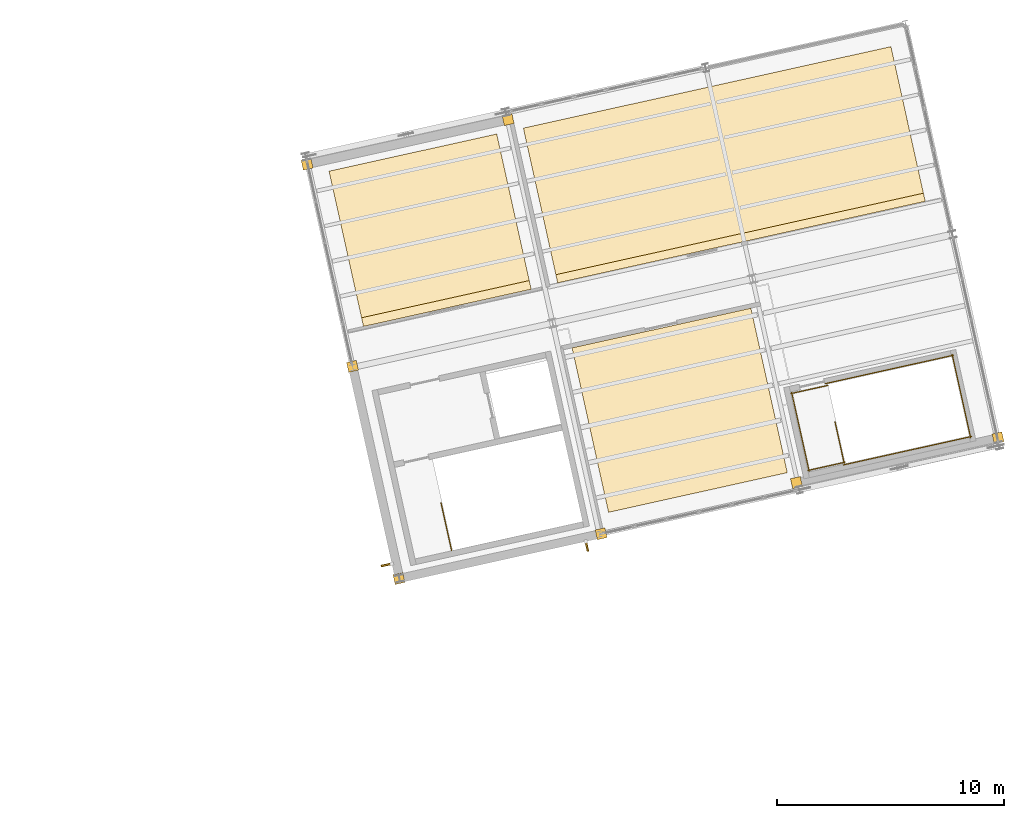
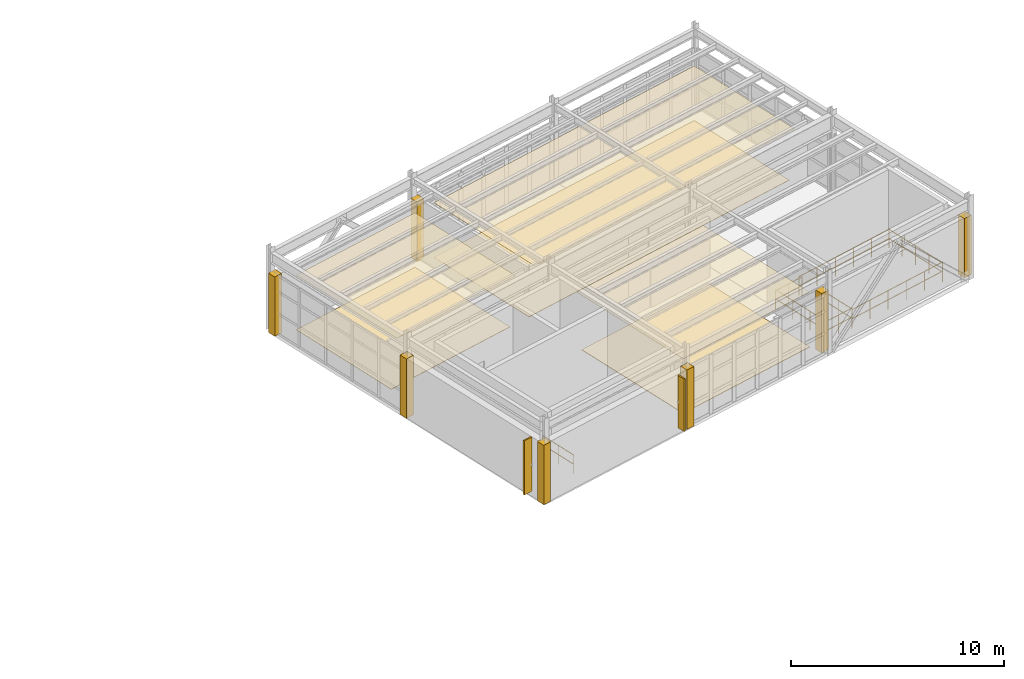
# One storey, part 59 of 59: 13 coverings, 8 railings, 2 shading devices.
"""IFC4 building model written with IfcOpenShell, lengths in metres."""

from ifc_helpers import new_model, si_unit, direction, frame, origin, origin_2d, place, context, subcontext, project, spatial, polyline, rectangle, circle, outline, extrude, material, layer, layer_set, type_object, element, save


model = new_model("IFC4")

# Units and contexts
model_context = context("Model", 3, precision=1e-05, world=origin(), true_north=direction((0.0, 1.0)))
body_context = subcontext(model_context, "Body", "Model", "MODEL_VIEW")
ifc_project = project(units=[si_unit("LENGTHUNIT", "METRE"), si_unit("AREAUNIT", "SQUARE_METRE"), si_unit("VOLUMEUNIT", "CUBIC_METRE"), si_unit("PLANEANGLEUNIT", "RADIAN"), si_unit("MASSUNIT", "GRAM", prefix="KILO")], contexts=[model_context])

# Site, building, storey
site_placement = place(None, origin())
site = spatial("IfcSite", under=ifc_project, at=site_placement, CompositionType="ELEMENT")
building_placement = place(site_placement, origin())
building = spatial("IfcBuilding", under=site, at=building_placement, Name="Vireo Bluff Cable Station", CompositionType="ELEMENT")
storey_placement = place(building_placement, frame((0.0, 0.0, 14.39990234375)))
storey = spatial("IfcBuildingStorey", under=building, at=storey_placement, Name="L03", CompositionType="ELEMENT", Elevation=14.39990234375)

# Coverings
ifc_material_1 = material(Name="Perforated Acoustic Metal Ceiling")
ifc_layer_1 = layer(ifc_material_1, 0.02490234375, Name="Perforated Acoustic Metal Ceiling")
ifc_layer_set_1 = layer_set([ifc_layer_1], Name="Perforated Acoustic Metal Ceiling")
covering_type_1 = type_object("IfcCoveringType", Name="CEILING-ACOUSTIC-25", PredefinedType="CEILING", material=ifc_layer_set_1)
covering_1_placement = place(storey_placement, frame((0.0, 0.0, 3.1201171875)))
element("IfcCovering", 1, at=covering_1_placement, inside=storey, type_object=covering_type_1, Name="V2 L03 Rescue Winch and Rope Splice Hall acoustic ceiling", PredefinedType="CEILING", context=body_context, shape_type="SweptSolid", body=[
    extrude(outline(polyline([(139.6826171875, 98.218017578125), (155.84033203125, 101.800048828125), (154.332275390625, 108.6025390625), (138.174560546875, 105.020263671875), (139.6826171875, 98.218017578125)])), origin(), (0.0, 0.0, 1.0), 0.02490234375),
])
covering_2_placement = place(storey_placement, frame((0.0, 0.0, 3.1201171875)))
element("IfcCovering", 2, at=covering_2_placement, inside=storey, type_object=covering_type_1, Name="V2 L03 Drive Telemetry Switch Room acoustic ceiling", PredefinedType="CEILING", context=body_context, shape_type="SweptSolid", body=[
    extrude(outline(polyline([(131.144775390625, 96.30224609375), (138.515869140625, 97.936279296875), (137.0029296875, 104.7607421875), (129.632080078125, 103.12646484375), (131.144775390625, 96.30224609375)])), origin(), (0.0, 0.0, 1.0), 0.02490234375),
])
ifc_layer_2 = layer(ifc_material_1, 0.034912109375, Name="Perforated Acoustic Metal Ceiling")
ifc_layer_set_2 = layer_set([ifc_layer_2], Name="Perforated Acoustic Metal Ceiling")
covering_type_2 = type_object("IfcCoveringType", Name="CEILING-ACOUSTIC-35", PredefinedType="CEILING", material=ifc_layer_set_2)
covering_3_placement = place(storey_placement, frame((0.0, 0.0, 3.1201171875)))
element("IfcCovering", 3, at=covering_3_placement, inside=storey, type_object=covering_type_2, Name="V2 L03 Bullwheel Overlook Gallery acoustic ceiling", PredefinedType="CEILING", context=body_context, shape_type="SweptSolid", body=[
    extrude(outline(polyline([(141.9189453125, 88.13037109375), (149.778076171875, 89.872802734375), (148.17529296875, 97.102294921875), (140.316162109375, 95.35986328125), (141.9189453125, 88.13037109375)])), origin(), (0.0, 0.0, 1.0), 0.034912109375),
])
ifc_material_2 = material(Name="Precast concrete f'c 45 MPa", Category="concrete")
ifc_layer_3 = layer(ifc_material_2, 0.0400390625, Name="Precast concrete f'c 45 MPa")
ifc_layer_set_3 = layer_set([ifc_layer_3], Name="Precast concrete f'c 45 MPa")
covering_type_3 = type_object("IfcCoveringType", Name="COL-CLOSURE-WRAP", PredefinedType="CLADDING", material=ifc_layer_set_3)
for number, where, z_axis, x_axis, name in (
    (4, (159.040771484375, 91.40380859375, 0.000244140625), (0.0, 0.0, 1.0), (0.97629600712, 0.216439613938, 0.0), "V2 L03 column pocket closure"),
    (5, (150.180419921875, 89.439697265625, 0.000244140625), (0.0, 0.0, 1.0), (0.97629600712, 0.216439613938, 0.0), "V2 L03 column pocket closure"),
    (6, (141.59130859375, 87.187255859375, 0.000244140625), (0.0, 0.0, 1.0), (0.97629600712, 0.216439613938, 0.0), "V2 L03 column pocket closure"),
    (7, (132.70556640625, 85.21728515625, 0.000244140625), (0.0, 0.0, 1.0), (0.97629600712, 0.216439613938, 0.0), "V2 L03 column pocket closure"),
    (8, (130.66357421875, 94.54638671875, 0.000244140625), (0.0, 0.0, 1.0), (0.97629600712, 0.216439613938, 0.0), "V2 L03 column pocket closure"),
    (9, (128.666748046875, 103.434814453125, 0.000244140625), (0.0, 0.0, 1.0), (0.97629600712, 0.216439613938, 0.0), "V2 L03 column pocket closure"),
    (10, (137.502197265625, 105.393798828125, 0.000244140625), (0.0, 0.0, 1.0), (0.97629600712, 0.216439613938, 0.0), "V2 L03 column pocket closure"),
):
    element("IfcCovering", number, at=place(storey_placement, frame(where, z_axis=z_axis, x_axis=x_axis)), inside=storey, type_object=covering_type_3, Name=name, PredefinedType="CLADDING", context=body_context, shape_type="SweptSolid", body=[
        extrude(rectangle(XDim=0.43994140625, YDim=0.43994140625, at=origin_2d()), origin(), (0.0, 0.0, 1.0), 3.39990234375),
    ])
ifc_material_3 = material(Name="Polished Terrazzo Flooring")
ifc_layer_4 = layer(ifc_material_3, 0.02001953125, Name="Polished Terrazzo Flooring")
ifc_layer_set_4 = layer_set([ifc_layer_4], Name="Polished Terrazzo Flooring")
covering_type_4 = type_object("IfcCoveringType", Name="FLOORING-TERRAZZO-20", PredefinedType="FLOORING", material=ifc_layer_set_4)
covering_4_placement = place(storey_placement, origin())
element("IfcCovering", 11, at=covering_4_placement, inside=storey, type_object=covering_type_4, Name="V2 L03 Rescue Winch and Rope Splice Hall terrazzo finish", PredefinedType="FLOORING", context=body_context, shape_type="SweptSolid", body=[
    extrude(outline(polyline([(139.60302734375, 98.576904296875), (155.7607421875, 102.158935546875), (154.332275390625, 108.6025390625), (138.174560546875, 105.020263671875), (139.60302734375, 98.576904296875)])), origin(), (0.0, 0.0, 1.0), 0.02001953125),
])
covering_5_placement = place(storey_placement, origin())
element("IfcCovering", 12, at=covering_5_placement, inside=storey, type_object=covering_type_4, Name="V2 L03 Drive Telemetry Switch Room terrazzo finish", PredefinedType="FLOORING", context=body_context, shape_type="SweptSolid", body=[
    extrude(outline(polyline([(131.060546875, 96.682861328125), (138.431396484375, 98.317138671875), (137.0029296875, 104.7607421875), (129.632080078125, 103.12646484375), (131.060546875, 96.682861328125)])), origin(), (0.0, 0.0, 1.0), 0.02001953125),
])
ifc_layer_5 = layer(ifc_material_3, 0.030029296875, Name="Polished Terrazzo Flooring")
ifc_layer_set_5 = layer_set([ifc_layer_5], Name="Polished Terrazzo Flooring")
covering_type_5 = type_object("IfcCoveringType", Name="FLOORING-TERRAZZO-30", PredefinedType="FLOORING", material=ifc_layer_set_5)
covering_6_placement = place(storey_placement, origin())
element("IfcCovering", 13, at=covering_6_placement, inside=storey, type_object=covering_type_5, Name="V2 L03 Bullwheel Overlook Gallery terrazzo finish", PredefinedType="FLOORING", context=body_context, shape_type="SweptSolid", body=[
    extrude(outline(polyline([(141.9189453125, 88.13037109375), (149.778076171875, 89.872802734375), (148.252197265625, 96.755615234375), (140.39306640625, 95.013427734375), (141.9189453125, 88.13037109375)])), origin(), (0.0, 0.0, 1.0), 0.030029296875),
])

# Shading devices
ifc_material_4 = material(Name="Extruded Terracotta Solar Fin", Category="masonry")
shading_device_type_1 = type_object("IfcShadingDeviceType", Name="SOLARFIN-440X3000", PredefinedType="SHUTTER", material=ifc_material_4)
shading_device_1_placement = place(storey_placement, frame((140.96630859375, 86.6337890625, 0.35009765625), z_axis=(0.0, 0.0, 1.0), x_axis=(-0.976296030949, -0.216439506452, 0.0)))
element("IfcShadingDevice", 14, at=shading_device_1_placement, inside=storey, type_object=shading_device_type_1, Name="V2 L03 solar brise-soleil fin 15", PredefinedType="SHUTTER", context=body_context, shape_type="SweptSolid", body=[
    extrude(rectangle(XDim=0.080078125, YDim=0.43994140625, at=origin_2d()), origin(), (0.0, 0.0, 1.0), 3.0),
])
shading_device_type_2 = type_object("IfcShadingDeviceType", Name="SOLARFIN-480X3100", PredefinedType="SHUTTER", material=ifc_material_4)
shading_device_2_placement = place(storey_placement, frame((132.157958984375, 85.818359375, 0.300048828125), z_axis=(0.0, 0.0, 1.0), x_axis=(-0.216439541639, 0.976296023148, 0.0)))
element("IfcShadingDevice", 15, at=shading_device_2_placement, inside=storey, type_object=shading_device_type_2, Name="V2 L03 solar brise-soleil fin 16", PredefinedType="SHUTTER", context=body_context, shape_type="SweptSolid", body=[
    extrude(rectangle(XDim=0.080078125, YDim=0.47998046875, at=origin_2d()), origin(), (0.0, 0.0, 1.0), 3.10009765625),
])

# Railings
ifc_material_5 = material(Name="Stainless Steel 316", Category="steel")
railing_type = type_object("IfcRailingType", Name="STAIR-GUARD-1100", PredefinedType="GUARDRAIL", material=ifc_material_5)
railing_1_placement = place(storey_placement, frame((135.019775390625, 86.447265625, 0.0)))
element("IfcRailing", 16, at=railing_1_placement, inside=storey, type_object=railing_type, Name="L03 ST-04 top well guard 1", PredefinedType="GUARDRAIL", context=body_context, shape_type="SweptSolid", body=[
    extrude(circle(Radius=0.02392578125, at=origin_2d()), frame((0.0, 0.0, 1.076171875), z_axis=(-0.216425467209, 0.976299143267, 0.0), x_axis=(-0.976299143267, -0.216425467209, 0.0)), (0.0, 0.0, 1.0), 2.150146484375),
    extrude(circle(Radius=0.02392578125, at=origin_2d()), frame((0.0, 0.0, 0.550048828125), z_axis=(-0.216425467209, 0.976299143267, 0.0), x_axis=(-0.976299143267, -0.216425467209, 0.0)), (0.0, 0.0, 1.0), 2.150146484375),
    extrude(circle(Radius=0.02099609375, at=origin_2d()), origin(), (0.0, 0.0, 1.0), 1.052001953125),
    extrude(circle(Radius=0.02099609375, at=origin_2d()), frame((-0.232666015625, 1.049560546875, 0.0)), (0.0, 0.0, 1.0), 1.052001953125),
    extrude(circle(Radius=0.02099609375, at=origin_2d()), frame((-0.46533203125, 2.09912109375, 0.0)), (0.0, 0.0, 1.0), 1.052001953125),
])
railing_2_placement = place(storey_placement, frame((152.280517578125, 90.27392578125, 0.0)))
element("IfcRailing", 17, at=railing_2_placement, inside=storey, type_object=railing_type, Name="L03 ST-09 top well guard 1", PredefinedType="GUARDRAIL", context=body_context, shape_type="SweptSolid", body=[
    extrude(circle(Radius=0.02392578125, at=origin_2d()), frame((0.0, 0.0, 1.076171875), z_axis=(-0.216352908386, 0.976315225239, 0.0), x_axis=(-0.976315225239, -0.216352908386, 0.0)), (0.0, 0.0, 1.0), 1.8798828125),
    extrude(circle(Radius=0.02392578125, at=origin_2d()), frame((0.0, 0.0, 0.550048828125), z_axis=(-0.216352908386, 0.976315225239, 0.0), x_axis=(-0.976315225239, -0.216352908386, 0.0)), (0.0, 0.0, 1.0), 1.8798828125),
    extrude(circle(Radius=0.02099609375, at=origin_2d()), origin(), (0.0, 0.0, 1.0), 1.052001953125),
    extrude(circle(Radius=0.02099609375, at=origin_2d()), frame((-0.203369140625, 0.917724609375, 0.0)), (0.0, 0.0, 1.0), 1.052001953125),
    extrude(circle(Radius=0.02099609375, at=origin_2d()), frame((-0.40673828125, 1.83544921875, 0.0)), (0.0, 0.0, 1.0), 1.052001953125),
])
for number, where, name in (
    (18, (152.24267578125, 90.21435546875, 0.0), "L03 ST-09 top well guard 2"),
    (19, (151.450439453125, 93.78759765625, 0.0), "L03 ST-09 top well guard 3"),
):
    element("IfcRailing", number, at=place(storey_placement, frame(where)), inside=storey, type_object=railing_type, Name=name, PredefinedType="GUARDRAIL", context=body_context, shape_type="SweptSolid", body=[
        extrude(circle(Radius=0.02392578125, at=origin_2d()), frame((0.0, 0.0, 1.076171875), z_axis=(0.976299428174, 0.216424181984, 0.0), x_axis=(-0.216424181984, 0.976299428174, 0.0)), (0.0, 0.0, 1.0), 5.77001953125),
        extrude(circle(Radius=0.02392578125, at=origin_2d()), frame((0.0, 0.0, 0.550048828125), z_axis=(0.976299428174, 0.216424181984, 0.0), x_axis=(-0.216424181984, 0.976299428174, 0.0)), (0.0, 0.0, 1.0), 5.77001953125),
        extrude(circle(Radius=0.02099609375, at=origin_2d()), origin(), (0.0, 0.0, 1.0), 1.052001953125),
        extrude(circle(Radius=0.02099609375, at=origin_2d()), frame((1.126708984375, 0.249755859375, 0.0)), (0.0, 0.0, 1.0), 1.052001953125),
        extrude(circle(Radius=0.02099609375, at=origin_2d()), frame((2.25341796875, 0.49951171875, 0.0)), (0.0, 0.0, 1.0), 1.052001953125),
        extrude(circle(Radius=0.02099609375, at=origin_2d()), frame((3.3798828125, 0.749267578125, 0.0)), (0.0, 0.0, 1.0), 1.052001953125),
        extrude(circle(Radius=0.02099609375, at=origin_2d()), frame((4.506591796875, 0.9990234375, 0.0)), (0.0, 0.0, 1.0), 1.052001953125),
        extrude(circle(Radius=0.02099609375, at=origin_2d()), frame((5.63330078125, 1.248779296875, 0.0)), (0.0, 0.0, 1.0), 1.052001953125),
    ])
railing_3_placement = place(storey_placement, frame((157.837890625, 91.403564453125, 0.0)))
element("IfcRailing", 20, at=railing_3_placement, inside=storey, type_object=railing_type, Name="L03 ST-09 top well guard 4", PredefinedType="GUARDRAIL", context=body_context, shape_type="SweptSolid", body=[
    extrude(circle(Radius=0.02392578125, at=origin_2d()), frame((0.0, 0.0, 1.076171875), z_axis=(-0.21641479956, 0.976301508004, 0.0), x_axis=(-0.976301508004, -0.21641479956, 0.0)), (0.0, 0.0, 1.0), 3.760009765625),
    extrude(circle(Radius=0.02392578125, at=origin_2d()), frame((0.0, 0.0, 0.550048828125), z_axis=(-0.21641479956, 0.976301508004, 0.0), x_axis=(-0.976301508004, -0.21641479956, 0.0)), (0.0, 0.0, 1.0), 3.760009765625),
    extrude(circle(Radius=0.02099609375, at=origin_2d()), origin(), (0.0, 0.0, 1.0), 1.052001953125),
    extrude(circle(Radius=0.02099609375, at=origin_2d()), frame((-0.203369140625, 0.917724609375, 0.0)), (0.0, 0.0, 1.0), 1.052001953125),
    extrude(circle(Radius=0.02099609375, at=origin_2d()), frame((-0.40673828125, 1.83544921875, 0.0)), (0.0, 0.0, 1.0), 1.052001953125),
    extrude(circle(Radius=0.02099609375, at=origin_2d()), frame((-0.6103515625, 2.753173828125, 0.0)), (0.0, 0.0, 1.0), 1.052001953125),
    extrude(circle(Radius=0.02099609375, at=origin_2d()), frame((-0.813720703125, 3.6708984375, 0.0)), (0.0, 0.0, 1.0), 1.052001953125),
])
railing_4_placement = place(storey_placement, frame((150.678466796875, 89.969970703125, 0.0)))
element("IfcRailing", 21, at=railing_4_placement, inside=storey, type_object=railing_type, Name="L03 ST-09 top well guard 5", PredefinedType="GUARDRAIL", context=body_context, shape_type="SweptSolid", body=[
    extrude(circle(Radius=0.02392578125, at=origin_2d()), frame((0.0, 0.0, 1.076171875), z_axis=(0.976306592655, 0.216391860146, 0.0), x_axis=(-0.216391860146, 0.976306592655, 0.0)), (0.0, 0.0, 1.0), 1.679931640625),
    extrude(circle(Radius=0.02392578125, at=origin_2d()), frame((0.0, 0.0, 0.550048828125), z_axis=(0.976306592655, 0.216391860146, 0.0), x_axis=(-0.216391860146, 0.976306592655, 0.0)), (0.0, 0.0, 1.0), 1.679931640625),
    extrude(circle(Radius=0.02099609375, at=origin_2d()), origin(), (0.0, 0.0, 1.0), 1.052001953125),
    extrude(circle(Radius=0.02099609375, at=origin_2d()), frame((0.820068359375, 0.181640625, 0.0)), (0.0, 0.0, 1.0), 1.052001953125),
    extrude(circle(Radius=0.02099609375, at=origin_2d()), frame((1.64013671875, 0.363525390625, 0.0)), (0.0, 0.0, 1.0), 1.052001953125),
])
railing_5_placement = place(storey_placement, frame((149.9296875, 93.347900390625, 0.0)))
element("IfcRailing", 22, at=railing_5_placement, inside=storey, type_object=railing_type, Name="L03 ST-09 top well guard 6", PredefinedType="GUARDRAIL", context=body_context, shape_type="SweptSolid", body=[
    extrude(circle(Radius=0.02392578125, at=origin_2d()), frame((0.0, 0.0, 1.076171875), z_axis=(0.976275881321, 0.216530375583, 0.0), x_axis=(-0.216530375583, 0.976275881321, 0.0)), (0.0, 0.0, 1.0), 1.679931640625),
    extrude(circle(Radius=0.02392578125, at=origin_2d()), frame((0.0, 0.0, 0.550048828125), z_axis=(0.976275881321, 0.216530375583, 0.0), x_axis=(-0.216530375583, 0.976275881321, 0.0)), (0.0, 0.0, 1.0), 1.679931640625),
    extrude(circle(Radius=0.02099609375, at=origin_2d()), origin(), (0.0, 0.0, 1.0), 1.052001953125),
    extrude(circle(Radius=0.02099609375, at=origin_2d()), frame((0.820068359375, 0.181884765625, 0.0)), (0.0, 0.0, 1.0), 1.052001953125),
    extrude(circle(Radius=0.02099609375, at=origin_2d()), frame((1.64013671875, 0.36376953125, 0.0)), (0.0, 0.0, 1.0), 1.052001953125),
])
railing_6_placement = place(storey_placement, frame((150.738037109375, 89.931884765625, 0.0)))
element("IfcRailing", 23, at=railing_6_placement, inside=storey, type_object=railing_type, Name="L03 ST-09 top well guard 7", PredefinedType="GUARDRAIL", context=body_context, shape_type="SweptSolid", body=[
    extrude(circle(Radius=0.02392578125, at=origin_2d()), frame((0.0, 0.0, 1.076171875), z_axis=(-0.216436658224, 0.976296662381, 0.0), x_axis=(-0.976296662381, -0.216436658224, 0.0)), (0.0, 0.0, 1.0), 3.56005859375),
    extrude(circle(Radius=0.02392578125, at=origin_2d()), frame((0.0, 0.0, 0.550048828125), z_axis=(-0.216436658224, 0.976296662381, 0.0), x_axis=(-0.976296662381, -0.216436658224, 0.0)), (0.0, 0.0, 1.0), 3.56005859375),
    extrude(circle(Radius=0.02099609375, at=origin_2d()), origin(), (0.0, 0.0, 1.0), 1.052001953125),
    extrude(circle(Radius=0.02099609375, at=origin_2d()), frame((-0.2568359375, 1.158447265625, 0.0)), (0.0, 0.0, 1.0), 1.052001953125),
    extrude(circle(Radius=0.02099609375, at=origin_2d()), frame((-0.513671875, 2.317138671875, 0.0)), (0.0, 0.0, 1.0), 1.052001953125),
    extrude(circle(Radius=0.02099609375, at=origin_2d()), frame((-0.7705078125, 3.4755859375, 0.0)), (0.0, 0.0, 1.0), 1.052001953125),
])

save(model, "model.ifc")
